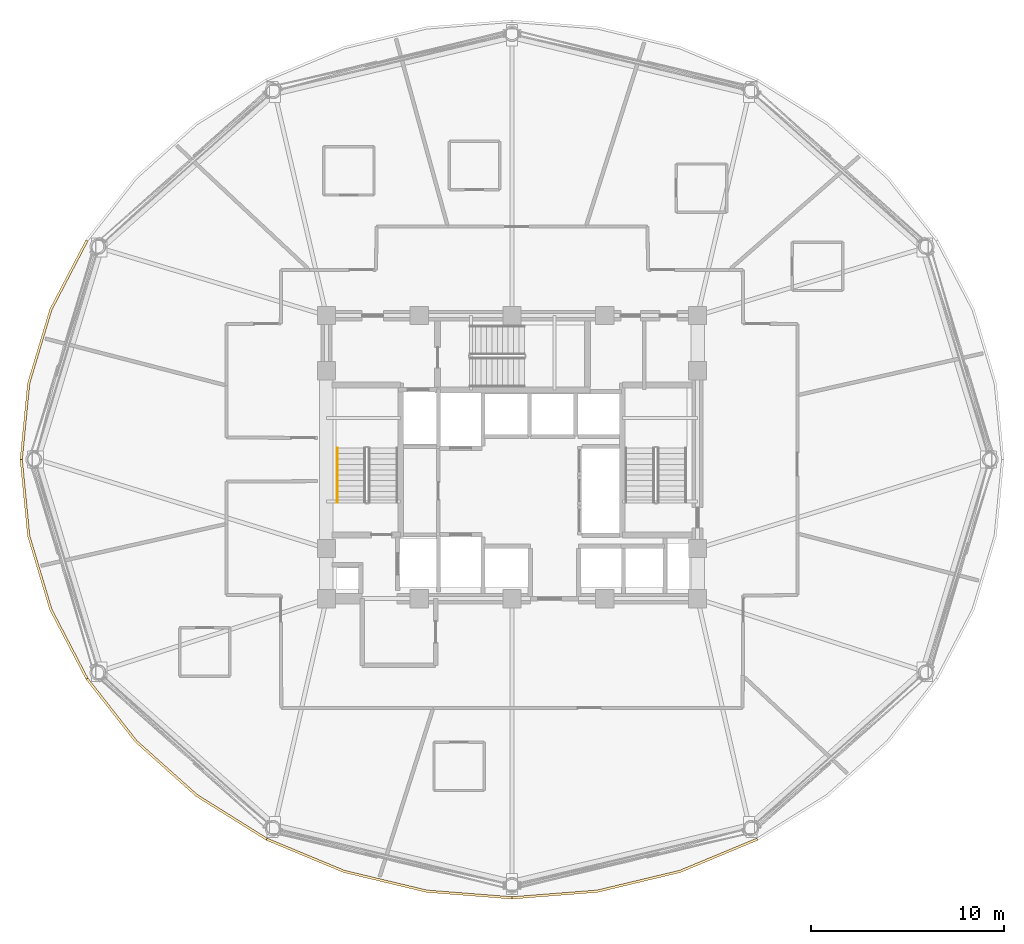
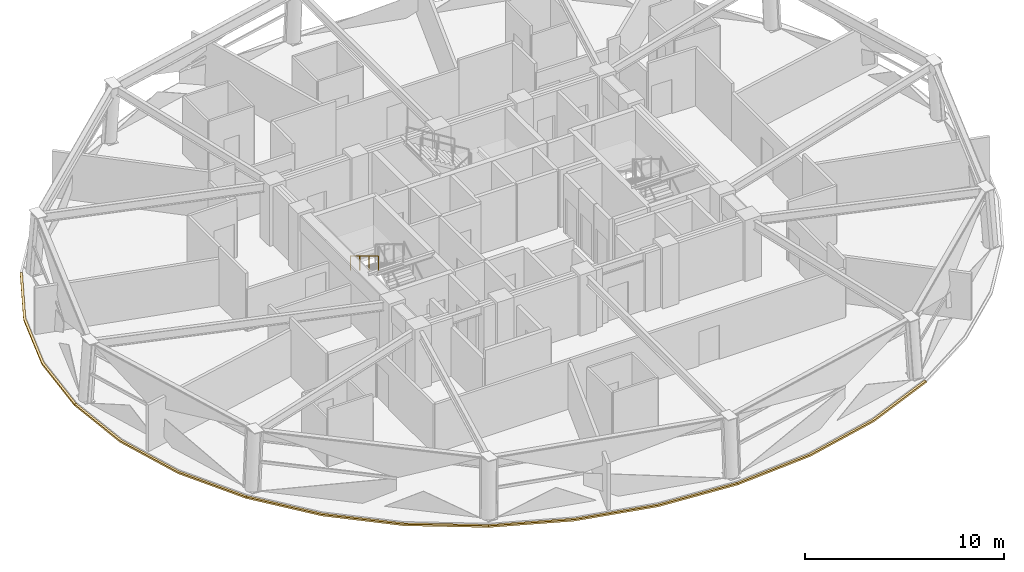
# One storey, part 9 of 12: 5 coverings, 1 railing.
"""IFC4 building model written with IfcOpenShell, lengths in metres."""

from ifc_helpers import new_model, si_unit, direction, frame, origin, origin_2d, place, context, subcontext, project, spatial, polyline, rectangle, outline, extrude, material, layer, layer_set, type_object, element, save


model = new_model("IFC4")

# Units and contexts
model_context = context("Model", 3, precision=1e-05, world=origin(), true_north=direction((0.0, 1.0)))
body_context = subcontext(model_context, "Body", "Model", "MODEL_VIEW")
ifc_project = project(units=[si_unit("LENGTHUNIT", "METRE"), si_unit("AREAUNIT", "SQUARE_METRE"), si_unit("VOLUMEUNIT", "CUBIC_METRE"), si_unit("PLANEANGLEUNIT", "RADIAN"), si_unit("MASSUNIT", "GRAM", prefix="KILO")], contexts=[model_context])

# Site, building, storey
site_placement = place(None, origin())
site = spatial("IfcSite", under=ifc_project, at=site_placement, CompositionType="ELEMENT")
building_placement = place(site_placement, origin())
building = spatial("IfcBuilding", under=site, at=building_placement, Name="Vantalir Tower", CompositionType="ELEMENT")
storey_placement = place(building_placement, frame((0.0, 0.0, 160.949951171875)))
storey = spatial("IfcBuildingStorey", under=building, at=storey_placement, Name="L40", CompositionType="ELEMENT", Elevation=160.949951171875)

# Coverings
ifc_material_1 = material(Name="Anodised champagne aluminium sill fascia", Category="aluminium")
ifc_layer = layer(ifc_material_1, 0.125)
ifc_layer_set = layer_set([ifc_layer], Name="Anodised champagne aluminium sill fascia")
covering_type = type_object("IfcCoveringType", Name="COV-SLAB-FASCIA-125", PredefinedType="CLADDING", material=ifc_layer_set)
covering_1_placement = place(storey_placement, frame((0.0, 0.0, -0.179931640625)))
element("IfcCovering", 1, at=covering_1_placement, inside=storey, type_object=covering_type, Name="L40 Perimeter Slab-Edge Sill Fascia 06", PredefinedType="CLADDING", context=body_context, shape_type="SweptSolid", body=[
    extrude(outline(polyline([(9.452880859375, 36.3720703125), (7.576904296875, 32.779052734375), (6.428955078125, 28.948974609375), (6.0419921875, 25.0), (6.1669921875, 25.0), (6.552001953125, 28.927978515625), (7.695068359375, 32.736083984375), (9.56103515625, 36.30908203125), (9.452880859375, 36.3720703125)])), origin(), (0.0, 0.0, 1.0), 0.10498046875),
])
covering_2_placement = place(storey_placement, frame((0.0, 0.0, -0.179931640625)))
element("IfcCovering", 2, at=covering_2_placement, inside=storey, type_object=covering_type, Name="L40 Perimeter Slab-Edge Sill Fascia 07", PredefinedType="CLADDING", context=body_context, shape_type="SweptSolid", body=[
    extrude(outline(polyline([(6.0419921875, 25.0), (6.428955078125, 21.051025390625), (7.576904296875, 17.220947265625), (9.452880859375, 13.6279296875), (9.56103515625, 13.68994140625), (7.695068359375, 17.263916015625), (6.552001953125, 21.072021484375), (6.1669921875, 25.0), (6.0419921875, 25.0)])), origin(), (0.0, 0.0, 1.0), 0.10498046875),
])
covering_3_placement = place(storey_placement, frame((0.0, 0.0, -0.179931640625)))
element("IfcCovering", 3, at=covering_3_placement, inside=storey, type_object=covering_type, Name="L40 Perimeter Slab-Edge Sill Fascia 08", PredefinedType="CLADDING", context=body_context, shape_type="SweptSolid", body=[
    extrude(outline(polyline([(9.452880859375, 13.6279296875), (11.998046875, 10.3798828125), (15.135986328125, 7.576904296875), (18.77099609375, 5.302978515625), (18.8330078125, 5.410888671875), (15.216064453125, 7.673095703125), (12.093994140625, 10.4609375), (9.56103515625, 13.68994140625), (9.452880859375, 13.6279296875)])), origin(), (0.0, 0.0, 1.0), 0.10498046875),
])
covering_4_placement = place(storey_placement, frame((0.0, 0.0, -0.179931640625)))
element("IfcCovering", 4, at=covering_4_placement, inside=storey, type_object=covering_type, Name="L40 Perimeter Slab-Edge Sill Fascia 09", PredefinedType="CLADDING", context=body_context, shape_type="SweptSolid", body=[
    extrude(outline(polyline([(18.77099609375, 5.302978515625), (22.79296875, 3.6279296875), (27.0791015625, 2.60205078125), (31.5, 2.256103515625), (31.5, 2.381103515625), (27.10107421875, 2.72509765625), (22.8359375, 3.7451171875), (18.8330078125, 5.410888671875), (18.77099609375, 5.302978515625)])), origin(), (0.0, 0.0, 1.0), 0.10498046875),
])
covering_5_placement = place(storey_placement, frame((0.0, 0.0, -0.179931640625)))
element("IfcCovering", 5, at=covering_5_placement, inside=storey, type_object=covering_type, Name="L40 Perimeter Slab-Edge Sill Fascia 10", PredefinedType="CLADDING", context=body_context, shape_type="SweptSolid", body=[
    extrude(outline(polyline([(31.5, 2.256103515625), (35.9208984375, 2.60205078125), (40.20703125, 3.6279296875), (44.22900390625, 5.302978515625), (44.1669921875, 5.410888671875), (40.1640625, 3.7451171875), (35.89892578125, 2.72509765625), (31.5, 2.381103515625), (31.5, 2.256103515625)])), origin(), (0.0, 0.0, 1.0), 0.10498046875),
])

# Railing
ifc_material_2 = material(Name="Brushed stainless steel tubular handrail", Category="steel")
railing_type = type_object("IfcRailingType", Name="RAL-HANDRAIL-900", PredefinedType="HANDRAIL", material=ifc_material_2)
railing_placement = place(storey_placement, frame((22.449951171875, 25.590087890625, 2.04541015625)))
element("IfcRailing", 6, at=railing_placement, inside=storey, type_object=railing_type, Name="L40 ST1 stair handrail 2", PredefinedType="HANDRAIL", context=body_context, shape_type="SweptSolid", body=[
    extrude(rectangle(XDim=0.048095703125, YDim=0.048095703125, at=origin_2d()), frame((0.0, 0.0, 0.8759765625), z_axis=(0.0, -0.854169791009, 0.51999420009), x_axis=(1.0, 0.0, 0.0)), (0.0, 0.0, 1.0), 3.278076171875),
    extrude(rectangle(XDim=0.0419921875, YDim=0.0419921875, at=origin_2d()), origin(), (0.0, 0.0, 1.0), 0.851806640625),
    extrude(rectangle(XDim=0.0419921875, YDim=0.0419921875, at=origin_2d()), frame((0.0, -0.933349609375, 0.568115234375)), (0.0, 0.0, 1.0), 0.851806640625),
    extrude(rectangle(XDim=0.0419921875, YDim=0.0419921875, at=origin_2d()), frame((0.0, -1.86669921875, 1.136474609375)), (0.0, 0.0, 1.0), 0.851806640625),
    extrude(rectangle(XDim=0.0419921875, YDim=0.0419921875, at=origin_2d()), frame((0.0, -2.800048828125, 1.70458984375)), (0.0, 0.0, 1.0), 0.851806640625),
])

save(model, "model.ifc")
